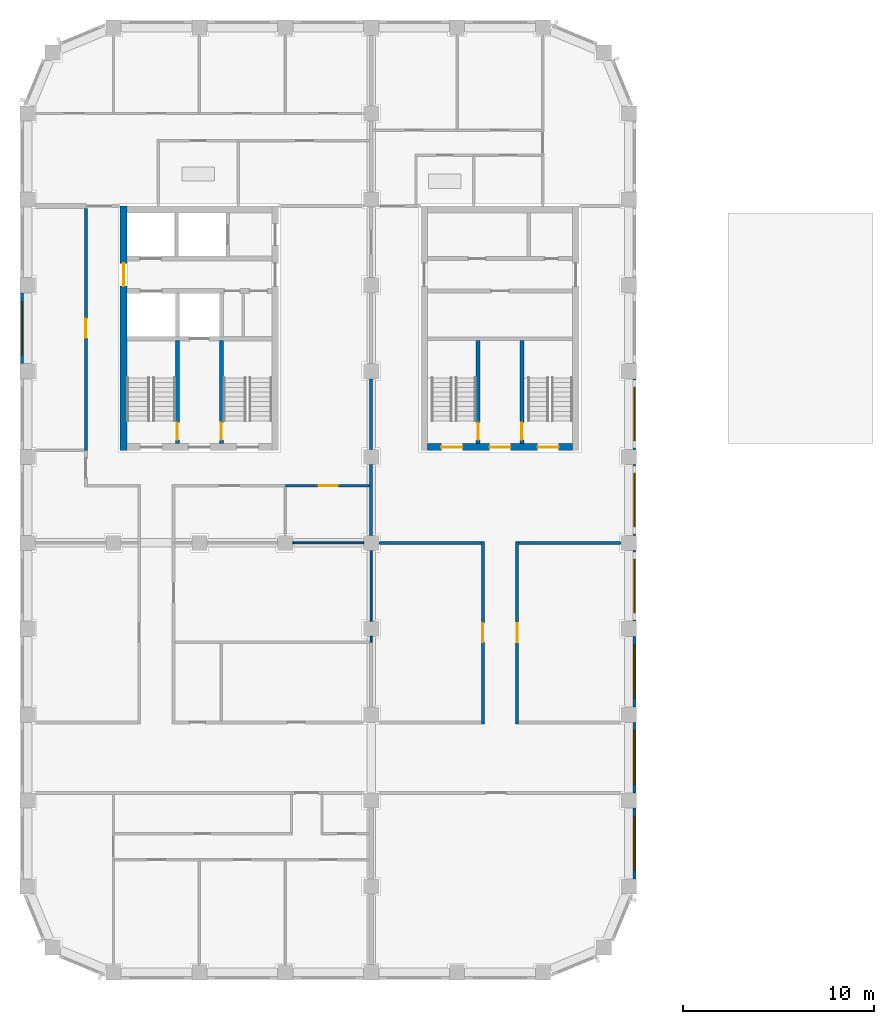
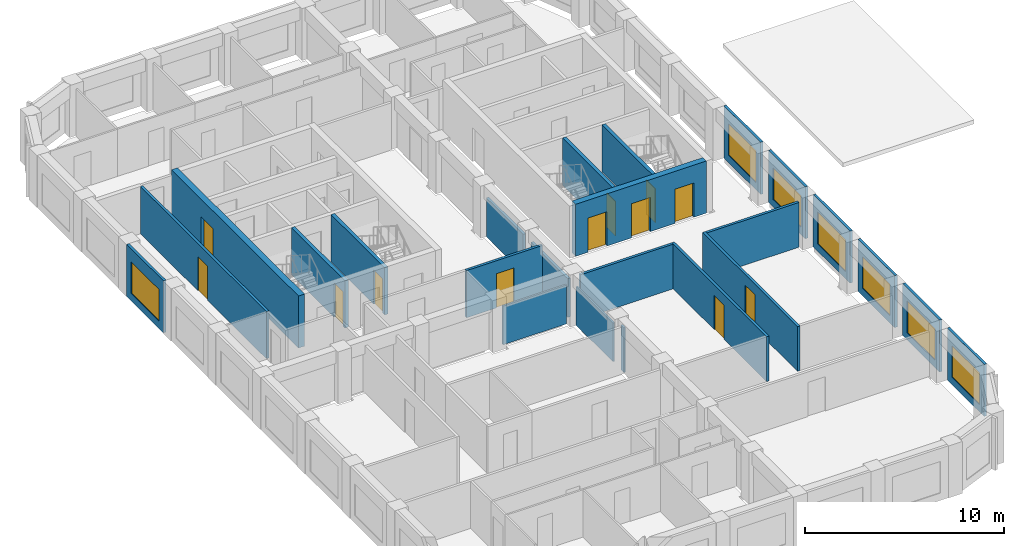
# One storey, part 4 of 9: 24 walls, 12 doors, 7 windows, 19 openings.
"""IFC4 building model written with IfcOpenShell, lengths in metres."""

import ifcopenshell
import ifcopenshell.guid

model = None  # the IFC model being written
_history = None  # IfcOwnerHistory: only IFC2X3 demands one
_inside = {}  # id of a spatial element -> (the spatial element, [elements in it])
_under = {}  # id of a project, library or spatial element -> (it, [spatial elements below it])
_declared = {}  # id of a project -> (the project, [libraries it declares])
_typed = {}  # id of a type object -> (the type object, [elements of that type])
_made_of = {}  # id of a material, layer set ... -> (it, [elements and type objects made of it])


def new_model(schema):
    """Start an empty IFC model of exactly this schema.

    Asked for "IFC4X3", IfcOpenShell would pick the latest addendum, in which some entities
    have other attributes; the version numbers below select the first issue.
    IFC2X3 requires an IfcOwnerHistory on every rooted entity: one is made here for all.
    """
    global model, _history
    if schema == "IFC4X3":
        model = ifcopenshell.file(schema_version=(4, 3, 0, 0))
    else:
        model = ifcopenshell.file(schema=schema)
    _inside.clear()
    _under.clear()
    _declared.clear()
    _typed.clear()
    _made_of.clear()
    _history = None
    if model.schema == "IFC2X3":
        org = make("IfcOrganization", Name="unknown")
        user = make(
            "IfcPersonAndOrganization",
            ThePerson=make("IfcPerson", FamilyName="unknown"),
            TheOrganization=org,
        )
        app = make(
            "IfcApplication",
            ApplicationDeveloper=org,
            Version="unknown",
            ApplicationFullName="unknown",
            ApplicationIdentifier="unknown",
        )
        _history = make(
            "IfcOwnerHistory",
            OwningUser=user,
            OwningApplication=app,
            ChangeAction="ADDED",
            CreationDate=0,
        )
    return model


def make(cls, **values):
    """One entity of the class cls with the attributes given. An attribute that is None is left unset."""
    return model.create_entity(
        cls, **{name: value for name, value in values.items() if value is not None}
    )


def rooted(cls, **values):
    """An entity with a GlobalId (a new one), such as an element, a storey or a relation."""
    return make(cls, GlobalId=ifcopenshell.guid.new(), OwnerHistory=_history, **values)


def si_unit(unit_type, name, prefix=None):
    """IfcSIUnit, for example si_unit("LENGTHUNIT", "METRE", prefix="MILLI")."""
    return make("IfcSIUnit", UnitType=unit_type, Prefix=prefix, Name=name)


def assignment(units):
    """IfcUnitAssignment: the units of a project."""
    return None if units is None else make("IfcUnitAssignment", Units=units)


def point(xyz):
    """IfcCartesianPoint."""
    return None if xyz is None else make("IfcCartesianPoint", Coordinates=xyz)


def direction(xyz):
    """IfcDirection."""
    return None if xyz is None else make("IfcDirection", DirectionRatios=xyz)


def frame(location, z_axis=None, x_axis=None):
    """IfcAxis2Placement3D, a coordinate frame: its origin and axes. An axis left out is left unset."""
    return make(
        "IfcAxis2Placement3D",
        Location=point(location),
        Axis=direction(z_axis),
        RefDirection=direction(x_axis),
    )


def frame_2d(location, x_axis=None):
    """IfcAxis2Placement2D, a coordinate frame in the plane: its origin and x axis."""
    return make(
        "IfcAxis2Placement2D", Location=point(location), RefDirection=direction(x_axis)
    )


def origin():
    """The frame at (0, 0, 0) with its axes left unset."""
    return frame((0.0, 0.0, 0.0))


def place(relative_to, where):
    """IfcLocalPlacement: puts the frame where relative to a parent placement (None: the world)."""
    return make(
        "IfcLocalPlacement", PlacementRelTo=relative_to, RelativePlacement=where
    )


def context(
    kind, dimensions, precision=None, world=None, true_north=None, identifier=None
):
    """IfcGeometricRepresentationContext, for example the 3D "Model" context."""
    return make(
        "IfcGeometricRepresentationContext",
        ContextIdentifier=identifier,
        ContextType=kind,
        CoordinateSpaceDimension=dimensions,
        Precision=precision,
        WorldCoordinateSystem=world,
        TrueNorth=true_north,
    )


def subcontext(parent, identifier, kind, view, scale=None):
    """IfcGeometricRepresentationSubContext, for example "Body" below "Model"."""
    return make(
        "IfcGeometricRepresentationSubContext",
        ContextIdentifier=identifier,
        ContextType=kind,
        ParentContext=parent,
        TargetScale=scale,
        TargetView=view,
    )


def project(units=None, contexts=None):
    """IfcProject with its units and contexts."""
    return rooted(
        "IfcProject",
        Name="project",
        RepresentationContexts=contexts,
        UnitsInContext=assignment(units),
    )


def spatial(cls, under=None, at=None, **own):
    """A site, building, storey or space (cls), placed at a placement, below another one or the project."""
    s = rooted(cls, ObjectPlacement=at, **own)
    if under is not None:
        _under.setdefault(under.id(), (under, []))[1].append(s)
    return s


def profile(cls, at=None, kind="AREA", **sizes):
    """A parametric profile (cls). Its sizes go by their IFC names, for example OverallWidth=200.0."""
    return make(cls, ProfileType=kind, Position=at, **sizes)


def rectangle(**sizes):
    """IfcRectangleProfileDef."""
    return profile("IfcRectangleProfileDef", **sizes)


def extrude(swept, where, along, depth):
    """IfcExtrudedAreaSolid: the profile swept, set in the frame where, extruded along a direction by depth."""
    return make(
        "IfcExtrudedAreaSolid",
        SweptArea=swept,
        Position=where,
        ExtrudedDirection=direction(along),
        Depth=depth,
    )


def shape(context_of_items, identifier, shape_type, items):
    """IfcShapeRepresentation: the items that make up one representation, for example the "Body"."""
    return make(
        "IfcShapeRepresentation",
        ContextOfItems=context_of_items,
        RepresentationIdentifier=identifier,
        RepresentationType=shape_type,
        Items=items,
    )


def material(Name=None, Category=None):
    """IfcMaterial."""
    return make("IfcMaterial", Name=Name, Category=Category)


def layer(
    of_material, thickness, ventilated=None, Name=None, Category=None, Priority=None
):
    """IfcMaterialLayer: one layer of a wall or slab, of a material (None: an air gap)."""
    return make(
        "IfcMaterialLayer",
        Material=of_material,
        LayerThickness=thickness,
        IsVentilated=ventilated,
        Name=Name,
        Category=Category,
        Priority=Priority,
    )


def layer_set(layers, Name=None):
    """IfcMaterialLayerSet."""
    return make("IfcMaterialLayerSet", MaterialLayers=layers, LayerSetName=Name)


def made_of(thing, what):
    """Note that an element or type object is made of a material, layer set ...; save() writes the relation."""
    if what is not None:
        _made_of.setdefault(what.id(), (what, []))[1].append(thing)
    return thing


def type_object(cls, material=None, **own):
    """A type object (cls), such as IfcWallType, which elements share."""
    return made_of(rooted(cls, **own), material)


def element(
    cls,
    number,
    at=None,
    inside=None,
    cuts=None,
    type_object=None,
    material=None,
    context=None,
    identifier="Body",
    shape_type=None,
    held_by="IfcProductDefinitionShape",
    body=None,
    shapes=None,
    **own,
):
    """One element of the class cls, such as IfcWall. Its Tag is "e" and its number.

    at: its placement. inside: the storey or other place that contains it. cuts: it is an
    opening in that element (IfcRelVoidsElement). A single representation is given by context,
    identifier, shape_type and body (its items); several are given by shapes. held_by: the class
    of the entity that holds the representations. save() writes the other relations.
    """
    e = rooted(cls, Tag="e%d" % number, ObjectPlacement=at, **own)
    if body is not None:
        shapes = [shape(context, identifier, shape_type, body)]
    if shapes is not None:
        e.Representation = make(held_by, Representations=shapes)
    if inside is not None:
        _inside.setdefault(inside.id(), (inside, []))[1].append(e)
    if cuts is not None:
        rooted(
            "IfcRelVoidsElement", RelatingBuildingElement=cuts, RelatedOpeningElement=e
        )
    if type_object is not None:
        _typed.setdefault(type_object.id(), (type_object, []))[1].append(e)
    return made_of(e, material)


def fill(opening, filler):
    """IfcRelFillsElement: the door or window that sits in an opening."""
    return rooted(
        "IfcRelFillsElement",
        RelatingOpeningElement=opening,
        RelatedBuildingElement=filler,
    )


def aggregate(whole, parts):
    """IfcRelAggregates: a whole, such as a stair, and the parts it consists of."""
    return rooted("IfcRelAggregates", RelatingObject=whole, RelatedObjects=parts)


def save(model, path):
    """Write the relations noted so far, then the file.

    IfcRelAggregates (storeys below a building ...), IfcRelContainedInSpatialStructure (elements
    in a storey), IfcRelDefinesByType, IfcRelAssociatesMaterial and IfcRelDeclares: one each for
    every whole, place, type object, material and project.
    """
    for whole, parts in _under.values():
        aggregate(whole, parts)
    for where, things in _inside.values():
        rooted(
            "IfcRelContainedInSpatialStructure",
            RelatedElements=things,
            RelatingStructure=where,
        )
    for kind, things in _typed.values():
        rooted("IfcRelDefinesByType", RelatedObjects=things, RelatingType=kind)
    for what, things in _made_of.values():
        rooted("IfcRelAssociatesMaterial", RelatedObjects=things, RelatingMaterial=what)
    for by, libraries in _declared.values():
        rooted("IfcRelDeclares", RelatingContext=by, RelatedDefinitions=libraries)
    model.write(path)


model = new_model("IFC4")

# Units and contexts
model_context = context("Model", 3, precision=1e-05, world=origin(), true_north=direction((0.0, 1.0)))
body_context = subcontext(model_context, "Body", "Model", "MODEL_VIEW")
ifc_project = project(units=[si_unit("LENGTHUNIT", "METRE"), si_unit("AREAUNIT", "SQUARE_METRE"), si_unit("VOLUMEUNIT", "CUBIC_METRE"), si_unit("PLANEANGLEUNIT", "RADIAN"), si_unit("MASSUNIT", "GRAM", prefix="KILO")], contexts=[model_context])

# Site, building, storey
site_placement = place(None, origin())
site = spatial("IfcSite", under=ifc_project, at=site_placement, CompositionType="ELEMENT")
building_placement = place(site_placement, origin())
building = spatial("IfcBuilding", under=site, at=building_placement, Name="Girih Gate Residences", CompositionType="ELEMENT")
storey_placement = place(building_placement, frame((0.0, 0.0, 179.5)))
storey = spatial("IfcBuildingStorey", under=building, at=storey_placement, Name="L49", CompositionType="ELEMENT", Elevation=179.5)

# Walls
ifc_material_1 = material(Name="Gypsum board on steel studs", Category="steel")
ifc_layer_1 = layer(ifc_material_1, 0.14990234375)
ifc_layer_set_1 = layer_set([ifc_layer_1], Name="Compartment wall 150 mm")
wall_type_1 = type_object("IfcWallType", Name="Compartment wall 150 mm", PredefinedType="PARTITIONING", material=ifc_layer_set_1)
for number, where, z_axis, x_axis, name in (
    (1, (18.39990234375, 22.5, 0.0), (0.0, 0.0, 1.0), (1.0, 0.0, 0.0), "L49 partition"),
    (2, (25.72509765625, 22.5, 0.0), (0.0, 0.0, 1.0), (1.0, 0.0, 0.0), "L49 partition"),
):
    element("IfcWall", number, at=place(storey_placement, frame(where, z_axis=z_axis, x_axis=x_axis)), inside=storey, type_object=wall_type_1, Name=name, PredefinedType="PARTITIONING", context=body_context, shape_type="SweptSolid", body=[
        extrude(rectangle(XDim=5.375, YDim=0.14990234375, at=frame_2d((2.6875, 0.0))), origin(), (0.0, 0.0, 1.0), 2.75),
    ])
for number, where, z_axis, x_axis, name in (
    (3, (18.0, 27.39990234375, 0.0), (0.0, 0.0, 1.0), (0.0, 1.0, 0.0), "L49 partition"),
    (4, (18.0, 22.89990234375, 0.0), (0.0, 0.0, 1.0), (0.0, 1.0, 0.0), "L49 partition"),
):
    element("IfcWall", number, at=place(storey_placement, frame(where, z_axis=z_axis, x_axis=x_axis)), inside=storey, type_object=wall_type_1, Name=name, PredefinedType="PARTITIONING", context=body_context, shape_type="SweptSolid", body=[
        extrude(rectangle(XDim=3.7001953125, YDim=0.14990234375, at=frame_2d((1.85009765625, 0.0))), origin(), (0.0, 0.0, 1.0), 2.3798828125),
    ])

# Wall, opening, door
wall_1_placement = place(storey_placement, frame((23.85009765625, 13.02490234375, 0.0), z_axis=(0.0, 0.0, 1.0), x_axis=(0.0, 1.0, 0.0)))
wall_1 = element("IfcWall", 5, at=wall_1_placement, inside=storey, type_object=wall_type_1, Name="L49 partition", PredefinedType="PARTITIONING", context=body_context, shape_type="SweptSolid", body=[
    extrude(rectangle(XDim=9.550048828125, YDim=0.14990234375, at=frame_2d((4.77490234375, 0.0))), origin(), (0.0, 0.0, 1.0), 2.75),
])
opening_1_placement = place(wall_1_placement, frame((4.27490234375, 0.0, 0.0)))
opening_1 = element("IfcOpeningElement", 6, at=opening_1_placement, cuts=wall_1, Name="Opening A49-024", PredefinedType="OPENING", context=body_context, shape_type="SweptSolid", body=[
    extrude(rectangle(XDim=1.0, YDim=2.10009765625, at=frame_2d((0.5, 1.050048828125))), frame((0.0, 0.0849609375, 0.0), z_axis=(0.0, -1.0, 0.0), x_axis=(1.0, 0.0, 0.0)), (0.0, 0.0, 1.0), 0.169921875),
])
ifc_material_2 = material(Name="Timber, fire-rated core", Category="wood")
door_type_1 = type_object("IfcDoorType", Name="Amenity room door 1000x2100 FD30S", OperationType="NOTDEFINED", PredefinedType="DOOR", material=ifc_material_2)
door_1_placement = place(opening_1_placement, origin())
door_1 = element("IfcDoor", 7, at=door_1_placement, inside=storey, type_object=door_type_1, Name="Door A49-024", OperationType="SINGLE_SWING_RIGHT", OverallHeight=2.10009765625, OverallWidth=1.0, PredefinedType="DOOR", context=body_context, shape_type="SweptSolid", body=[
    extrude(rectangle(XDim=1.0, YDim=2.10009765625, at=frame_2d((0.5, 1.050048828125))), frame((0.0, 0.02490234375, 0.0), z_axis=(0.0, -1.0, 0.0), x_axis=(1.0, 0.0, 0.0)), (0.0, 0.0, 1.0), 0.050048828125),
])
fill(opening_1, door_1)

wall_2_placement = place(storey_placement, frame((25.64990234375, 22.574951171875, 0.0), z_axis=(0.0, 0.0, 1.0), x_axis=(0.0, -1.0, 0.0)))
wall_2 = element("IfcWall", 8, at=wall_2_placement, inside=storey, type_object=wall_type_1, Name="L49 partition", PredefinedType="PARTITIONING", context=body_context, shape_type="SweptSolid", body=[
    extrude(rectangle(XDim=9.550048828125, YDim=0.14990234375, at=frame_2d((4.77490234375, 0.0))), origin(), (0.0, 0.0, 1.0), 2.75),
])
opening_2_placement = place(wall_2_placement, frame((4.27490234375, 0.0, 0.0)))
opening_2 = element("IfcOpeningElement", 9, at=opening_2_placement, cuts=wall_2, Name="Opening A49-025", PredefinedType="OPENING", context=body_context, shape_type="SweptSolid", body=[
    extrude(rectangle(XDim=1.0, YDim=2.10009765625, at=frame_2d((0.5, 1.050048828125))), frame((0.0, 0.0849609375, 0.0), z_axis=(0.0, -1.0, 0.0), x_axis=(1.0, 0.0, 0.0)), (0.0, 0.0, 1.0), 0.169921875),
])
door_2_placement = place(opening_2_placement, origin())
door_2 = element("IfcDoor", 10, at=door_2_placement, inside=storey, type_object=door_type_1, Name="Door A49-025", OperationType="SINGLE_SWING_LEFT", OverallHeight=2.10009765625, OverallWidth=1.0, PredefinedType="DOOR", context=body_context, shape_type="SweptSolid", body=[
    extrude(rectangle(XDim=1.0, YDim=2.10009765625, at=frame_2d((0.5, 1.050048828125))), frame((0.0, 0.02490234375, 0.0), z_axis=(0.0, -1.0, 0.0), x_axis=(1.0, 0.0, 0.0)), (0.0, 0.0, 1.0), 0.050048828125),
])
fill(opening_2, door_2)

wall_3_placement = place(storey_placement, frame((17.925048828125, 25.5, 0.0), z_axis=(0.0, 0.0, 1.0), x_axis=(-1.0, 0.0, 0.0)))
wall_3 = element("IfcWall", 11, at=wall_3_placement, inside=storey, type_object=wall_type_1, Name="L49 partition", PredefinedType="PARTITIONING", context=body_context, shape_type="SweptSolid", body=[
    extrude(rectangle(XDim=4.425048828125, YDim=0.14990234375, at=frame_2d((2.21240234375, 0.0))), origin(), (0.0, 0.0, 1.0), 2.89990234375),
])
opening_3_placement = place(wall_3_placement, frame((1.675048828125, 0.0, 0.0)))
opening_3 = element("IfcOpeningElement", 12, at=opening_3_placement, cuts=wall_3, Name="Opening A49-030", PredefinedType="OPENING", context=body_context, shape_type="SweptSolid", body=[
    extrude(rectangle(XDim=1.0, YDim=2.10009765625, at=frame_2d((0.5, 1.050048828125))), frame((0.0, 0.0849609375, 0.0), z_axis=(0.0, -1.0, 0.0), x_axis=(1.0, 0.0, 0.0)), (0.0, 0.0, 1.0), 0.169921875),
])
door_3_placement = place(opening_3_placement, origin())
door_3 = element("IfcDoor", 13, at=door_3_placement, inside=storey, type_object=door_type_1, Name="Door A49-030", OperationType="SINGLE_SWING_LEFT", OverallHeight=2.10009765625, OverallWidth=1.0, PredefinedType="DOOR", context=body_context, shape_type="SweptSolid", body=[
    extrude(rectangle(XDim=1.0, YDim=2.10009765625, at=frame_2d((0.5, 1.050048828125))), frame((0.0, 0.02490234375, 0.0), z_axis=(0.0, -1.0, 0.0), x_axis=(1.0, 0.0, 0.0)), (0.0, 0.0, 1.0), 0.050048828125),
])
fill(opening_3, door_3)

wall_4_placement = place(storey_placement, frame((3.050048828125, 27.35009765625, 0.0), z_axis=(0.0, 0.0, 1.0), x_axis=(0.0, 1.0, 0.0)))
wall_4 = element("IfcWall", 14, at=wall_4_placement, inside=storey, type_object=wall_type_1, Name="L49 partition", PredefinedType="PARTITIONING", context=body_context, shape_type="SweptSolid", body=[
    extrude(rectangle(XDim=12.6748046875, YDim=0.14990234375, at=frame_2d((6.33740234375, 0.0))), origin(), (0.0, 0.0, 1.0), 2.89990234375),
])
opening_4_placement = place(wall_4_placement, frame((5.89990234375, 0.0, 0.0)))
opening_4 = element("IfcOpeningElement", 15, at=opening_4_placement, cuts=wall_4, Name="Opening A49-031", PredefinedType="OPENING", context=body_context, shape_type="SweptSolid", body=[
    extrude(rectangle(XDim=1.0, YDim=2.10009765625, at=frame_2d((0.5, 1.050048828125))), frame((0.0, 0.0849609375, 0.0), z_axis=(0.0, -1.0, 0.0), x_axis=(1.0, 0.0, 0.0)), (0.0, 0.0, 1.0), 0.169921875),
])
door_4_placement = place(opening_4_placement, origin())
door_4 = element("IfcDoor", 16, at=door_4_placement, inside=storey, type_object=door_type_1, Name="Door A49-031", OperationType="SINGLE_SWING_RIGHT", OverallHeight=2.10009765625, OverallWidth=1.0, PredefinedType="DOOR", context=body_context, shape_type="SweptSolid", body=[
    extrude(rectangle(XDim=1.0, YDim=2.10009765625, at=frame_2d((0.5, 1.050048828125))), frame((0.0, 0.02490234375, 0.0), z_axis=(0.0, -1.0, 0.0), x_axis=(1.0, 0.0, 0.0)), (0.0, 0.0, 1.0), 0.050048828125),
])
fill(opening_4, door_4)

ifc_material_3 = material(Name="Concrete C60/75", Category="concrete")
ifc_layer_2 = layer(ifc_material_3, 0.35009765625)
ifc_layer_set_2 = layer_set([ifc_layer_2], Name="Core wall RC 350 Concrete C60/75")
wall_type_2 = type_object("IfcWallType", Name="Core wall RC 350 Concrete C60/75", PredefinedType="SOLIDWALL", material=ifc_layer_set_2)
wall_5_placement = place(storey_placement, frame((5.02490234375, 27.35009765625, 0.0), z_axis=(0.0, 0.0, 1.0), x_axis=(0.0, 1.0, 0.0)))
wall_5 = element("IfcWall", 17, at=wall_5_placement, inside=storey, type_object=wall_type_2, Name="Core wall W-W L49", PredefinedType="SOLIDWALL", context=body_context, shape_type="SweptSolid", body=[
    extrude(rectangle(XDim=12.7998046875, YDim=0.35009765625, at=frame_2d((6.39990234375, 0.0))), origin(), (0.0, 0.0, 1.0), 3.199951171875),
])
opening_5_placement = place(wall_5_placement, frame((8.60009765625, 0.0, 0.0)))
opening_5 = element("IfcOpeningElement", 18, at=opening_5_placement, cuts=wall_5, Name="Opening D-L49-W-013", PredefinedType="OPENING", context=body_context, shape_type="SweptSolid", body=[
    extrude(rectangle(XDim=1.199951171875, YDim=2.10009765625, at=frame_2d((0.60009765625, 1.050048828125))), frame((0.0, 0.18505859375, 0.0), z_axis=(0.0, -1.0, 0.0), x_axis=(1.0, 0.0, 0.0)), (0.0, 0.0, 1.0), 0.3701171875),
])
ifc_material_4 = material(Name="Painted steel, fire-resisting", Category="steel")
door_type_2 = type_object("IfcDoorType", Name="Fire door 1200x2100", OperationType="SINGLE_SWING_LEFT", PredefinedType="DOOR", material=ifc_material_4)
door_5_placement = place(opening_5_placement, origin())
door_5 = element("IfcDoor", 19, at=door_5_placement, inside=storey, type_object=door_type_2, Name="L49 W core door ll-w", OperationType="SINGLE_SWING_LEFT", OverallHeight=2.10009765625, OverallWidth=1.199951171875, PredefinedType="DOOR", context=body_context, shape_type="SweptSolid", body=[
    extrude(rectangle(XDim=1.199951171875, YDim=2.10009765625, at=frame_2d((0.60009765625, 1.050048828125))), frame((0.0, 0.02490234375, 0.0), z_axis=(0.0, -1.0, 0.0), x_axis=(1.0, 0.0, 0.0)), (0.0, 0.0, 1.0), 0.050048828125),
])
fill(opening_5, door_5)

# Walls
ifc_layer_3 = layer(ifc_material_1, 0.10009765625)
ifc_layer_set_3 = layer_set([ifc_layer_3], Name="Partition 100 mm")
wall_type_3 = type_object("IfcWallType", Name="Partition 100 mm", PredefinedType="PARTITIONING", material=ifc_layer_set_3)
wall_6_placement = place(storey_placement, frame((18.0, 18.39990234375, 0.0), z_axis=(0.0, 0.0, 1.0), x_axis=(0.0, 1.0, 0.0)))
element("IfcWall", 20, at=wall_6_placement, inside=storey, type_object=wall_type_3, Name="L49 partition", PredefinedType="PARTITIONING", context=body_context, shape_type="SweptSolid", body=[
    extrude(rectangle(XDim=3.7001953125, YDim=0.10009765625, at=frame_2d((1.85009765625, 0.0))), origin(), (0.0, 0.0, 1.0), 2.3798828125),
])
wall_7_placement = place(storey_placement, frame((18.0, 17.300048828125, 0.0), z_axis=(0.0, 0.0, 1.0), x_axis=(0.0, 1.0, 0.0)))
element("IfcWall", 21, at=wall_7_placement, inside=storey, type_object=wall_type_3, Name="L49 partition", PredefinedType="PARTITIONING", context=body_context, shape_type="SweptSolid", body=[
    extrude(rectangle(XDim=0.300048828125, YDim=0.10009765625, at=frame_2d((0.14990234375, 0.0))), origin(), (0.0, 0.0, 1.0), 2.75),
])
wall_8_placement = place(storey_placement, frame((13.89990234375, 22.5, 0.0), z_axis=(0.0, 0.0, 1.0), x_axis=(1.0, 0.0, 0.0)))
element("IfcWall", 22, at=wall_8_placement, inside=storey, type_object=wall_type_3, Name="L49 partition", PredefinedType="PARTITIONING", context=body_context, shape_type="SweptSolid", body=[
    extrude(rectangle(XDim=3.7001953125, YDim=0.10009765625, at=frame_2d((1.85009765625, 0.0))), origin(), (0.0, 0.0, 1.0), 2.3798828125),
])

# Wall, opening, window
ifc_material_5 = material(Name="Precast concrete C50/60", Category="concrete")
ifc_layer_4 = layer(ifc_material_5, 0.050048828125, Name="Outer leaf")
ifc_material_6 = material(Name="Rigid PIR insulation")
ifc_layer_5 = layer(ifc_material_6, 0.06005859375, Name="Insulation")
ifc_material_7 = material(Name="Precast concrete C40/50", Category="concrete")
ifc_layer_6 = layer(ifc_material_7, 0.0400390625, Name="Inner leaf")
ifc_layer_set_4 = layer_set([ifc_layer_4, ifc_layer_5, ifc_layer_6], Name="Precast concrete C50/60 external wall 150")
wall_type_4 = type_object("IfcWallType", Name="Precast concrete C50/60 external wall 150", PredefinedType="SOLIDWALL", material=ifc_layer_set_4)
wall_9_placement = place(storey_placement, frame((31.800048828125, 8.60009765625, 0.0), z_axis=(0.0, 0.0, 1.0), x_axis=(0.0, -1.0, 0.0)))
wall_9 = element("IfcWall", 23, at=wall_9_placement, inside=storey, type_object=wall_type_4, Name="External wall E0315_0045.0", PredefinedType="SOLIDWALL", context=body_context, shape_type="SweptSolid", body=[
    extrude(rectangle(XDim=3.7001953125, YDim=0.14990234375, at=frame_2d((1.85009765625, 0.0))), origin(), (0.0, 0.0, 1.0), 3.199951171875),
])
opening_6_placement = place(wall_9_placement, frame((0.449951171875, 0.0, 0.449951171875)))
opening_6 = element("IfcOpeningElement", 24, at=opening_6_placement, cuts=wall_9, Name="Opening W-1B", PredefinedType="OPENING", context=body_context, shape_type="SweptSolid", body=[
    extrude(rectangle(XDim=2.800048828125, YDim=1.949951171875, at=frame_2d((1.39990234375, 0.97509765625))), frame((0.0, 0.0849609375, 0.0), z_axis=(0.0, -1.0, 0.0), x_axis=(1.0, 0.0, 0.0)), (0.0, 0.0, 1.0), 0.169921875),
])
ifc_material_8 = material(Name="Double glazing in aluminium frame", Category="aluminium")
window_type = type_object("IfcWindowType", Name="Window W-1B 2800x1950", PartitioningType="SINGLE_PANEL", PredefinedType="WINDOW", material=ifc_material_8)
window_1_placement = place(opening_6_placement, origin())
window_1 = element("IfcWindow", 25, at=window_1_placement, inside=storey, type_object=window_type, Name="Window W-1B E0315_0045.0", OverallHeight=1.949951171875, OverallWidth=2.800048828125, PartitioningType="SINGLE_PANEL", PredefinedType="WINDOW", context=body_context, shape_type="SweptSolid", body=[
    extrude(rectangle(XDim=2.800048828125, YDim=1.949951171875, at=frame_2d((1.39990234375, 0.97509765625))), frame((0.0, 0.030029296875, 0.0), z_axis=(0.0, -1.0, 0.0), x_axis=(1.0, 0.0, 0.0)), (0.0, 0.0, 1.0), 0.06005859375),
])
fill(opening_6, window_1)

wall_10_placement = place(storey_placement, frame((31.800048828125, 13.10009765625, 0.0), z_axis=(0.0, 0.0, 1.0), x_axis=(0.0, -1.0, 0.0)))
wall_10 = element("IfcWall", 26, at=wall_10_placement, inside=storey, type_object=wall_type_4, Name="External wall E0315_0045.1", PredefinedType="SOLIDWALL", context=body_context, shape_type="SweptSolid", body=[
    extrude(rectangle(XDim=3.7001953125, YDim=0.14990234375, at=frame_2d((1.85009765625, 0.0))), origin(), (0.0, 0.0, 1.0), 3.199951171875),
])
opening_7_placement = place(wall_10_placement, frame((0.449951171875, 0.0, 0.449951171875)))
opening_7 = element("IfcOpeningElement", 27, at=opening_7_placement, cuts=wall_10, Name="Opening W-1B", PredefinedType="OPENING", context=body_context, shape_type="SweptSolid", body=[
    extrude(rectangle(XDim=2.800048828125, YDim=1.949951171875, at=frame_2d((1.39990234375, 0.97509765625))), frame((0.0, 0.0849609375, 0.0), z_axis=(0.0, -1.0, 0.0), x_axis=(1.0, 0.0, 0.0)), (0.0, 0.0, 1.0), 0.169921875),
])
window_2_placement = place(opening_7_placement, origin())
window_2 = element("IfcWindow", 28, at=window_2_placement, inside=storey, type_object=window_type, Name="Window W-1B E0315_0045.1", OverallHeight=1.949951171875, OverallWidth=2.800048828125, PartitioningType="SINGLE_PANEL", PredefinedType="WINDOW", context=body_context, shape_type="SweptSolid", body=[
    extrude(rectangle(XDim=2.800048828125, YDim=1.949951171875, at=frame_2d((1.39990234375, 0.97509765625))), frame((0.0, 0.030029296875, 0.0), z_axis=(0.0, -1.0, 0.0), x_axis=(1.0, 0.0, 0.0)), (0.0, 0.0, 1.0), 0.06005859375),
])
fill(opening_7, window_2)

wall_11_placement = place(storey_placement, frame((31.800048828125, 17.60009765625, 0.0), z_axis=(0.0, 0.0, 1.0), x_axis=(0.0, -1.0, 0.0)))
wall_11 = element("IfcWall", 29, at=wall_11_placement, inside=storey, type_object=wall_type_4, Name="External wall E0315_0045.2", PredefinedType="SOLIDWALL", context=body_context, shape_type="SweptSolid", body=[
    extrude(rectangle(XDim=3.7001953125, YDim=0.14990234375, at=frame_2d((1.85009765625, 0.0))), origin(), (0.0, 0.0, 1.0), 3.199951171875),
])
opening_8_placement = place(wall_11_placement, frame((0.449951171875, 0.0, 0.449951171875)))
opening_8 = element("IfcOpeningElement", 30, at=opening_8_placement, cuts=wall_11, Name="Opening W-1B", PredefinedType="OPENING", context=body_context, shape_type="SweptSolid", body=[
    extrude(rectangle(XDim=2.800048828125, YDim=1.949951171875, at=frame_2d((1.39990234375, 0.97509765625))), frame((0.0, 0.0849609375, 0.0), z_axis=(0.0, -1.0, 0.0), x_axis=(1.0, 0.0, 0.0)), (0.0, 0.0, 1.0), 0.169921875),
])
window_3_placement = place(opening_8_placement, origin())
window_3 = element("IfcWindow", 31, at=window_3_placement, inside=storey, type_object=window_type, Name="Window W-1B E0315_0045.2", OverallHeight=1.949951171875, OverallWidth=2.800048828125, PartitioningType="SINGLE_PANEL", PredefinedType="WINDOW", context=body_context, shape_type="SweptSolid", body=[
    extrude(rectangle(XDim=2.800048828125, YDim=1.949951171875, at=frame_2d((1.39990234375, 0.97509765625))), frame((0.0, 0.030029296875, 0.0), z_axis=(0.0, -1.0, 0.0), x_axis=(1.0, 0.0, 0.0)), (0.0, 0.0, 1.0), 0.06005859375),
])
fill(opening_8, window_3)

wall_12_placement = place(storey_placement, frame((31.800048828125, 22.10009765625, 0.0), z_axis=(0.0, 0.0, 1.0), x_axis=(0.0, -1.0, 0.0)))
wall_12 = element("IfcWall", 32, at=wall_12_placement, inside=storey, type_object=wall_type_4, Name="External wall E0315_0045.3", PredefinedType="SOLIDWALL", context=body_context, shape_type="SweptSolid", body=[
    extrude(rectangle(XDim=3.7001953125, YDim=0.14990234375, at=frame_2d((1.85009765625, 0.0))), origin(), (0.0, 0.0, 1.0), 3.199951171875),
])
opening_9_placement = place(wall_12_placement, frame((0.449951171875, 0.0, 0.449951171875)))
opening_9 = element("IfcOpeningElement", 33, at=opening_9_placement, cuts=wall_12, Name="Opening W-1B", PredefinedType="OPENING", context=body_context, shape_type="SweptSolid", body=[
    extrude(rectangle(XDim=2.800048828125, YDim=1.949951171875, at=frame_2d((1.39990234375, 0.97509765625))), frame((0.0, 0.0849609375, 0.0), z_axis=(0.0, -1.0, 0.0), x_axis=(1.0, 0.0, 0.0)), (0.0, 0.0, 1.0), 0.169921875),
])
window_4_placement = place(opening_9_placement, origin())
window_4 = element("IfcWindow", 34, at=window_4_placement, inside=storey, type_object=window_type, Name="Window W-1B E0315_0045.3", OverallHeight=1.949951171875, OverallWidth=2.800048828125, PartitioningType="SINGLE_PANEL", PredefinedType="WINDOW", context=body_context, shape_type="SweptSolid", body=[
    extrude(rectangle(XDim=2.800048828125, YDim=1.949951171875, at=frame_2d((1.39990234375, 0.97509765625))), frame((0.0, 0.030029296875, 0.0), z_axis=(0.0, -1.0, 0.0), x_axis=(1.0, 0.0, 0.0)), (0.0, 0.0, 1.0), 0.06005859375),
])
fill(opening_9, window_4)

wall_13_placement = place(storey_placement, frame((31.800048828125, 26.60009765625, 0.0), z_axis=(0.0, 0.0, 1.0), x_axis=(0.0, -1.0, 0.0)))
wall_13 = element("IfcWall", 35, at=wall_13_placement, inside=storey, type_object=wall_type_4, Name="External wall E0315_0045.4", PredefinedType="SOLIDWALL", context=body_context, shape_type="SweptSolid", body=[
    extrude(rectangle(XDim=3.7001953125, YDim=0.14990234375, at=frame_2d((1.85009765625, 0.0))), origin(), (0.0, 0.0, 1.0), 3.199951171875),
])
opening_10_placement = place(wall_13_placement, frame((0.449951171875, 0.0, 0.449951171875)))
opening_10 = element("IfcOpeningElement", 36, at=opening_10_placement, cuts=wall_13, Name="Opening W-1B", PredefinedType="OPENING", context=body_context, shape_type="SweptSolid", body=[
    extrude(rectangle(XDim=2.800048828125, YDim=1.949951171875, at=frame_2d((1.39990234375, 0.97509765625))), frame((0.0, 0.0849609375, 0.0), z_axis=(0.0, -1.0, 0.0), x_axis=(1.0, 0.0, 0.0)), (0.0, 0.0, 1.0), 0.169921875),
])
window_5_placement = place(opening_10_placement, origin())
window_5 = element("IfcWindow", 37, at=window_5_placement, inside=storey, type_object=window_type, Name="Window W-1B E0315_0045.4", OverallHeight=1.949951171875, OverallWidth=2.800048828125, PartitioningType="SINGLE_PANEL", PredefinedType="WINDOW", context=body_context, shape_type="SweptSolid", body=[
    extrude(rectangle(XDim=2.800048828125, YDim=1.949951171875, at=frame_2d((1.39990234375, 0.97509765625))), frame((0.0, 0.030029296875, 0.0), z_axis=(0.0, -1.0, 0.0), x_axis=(1.0, 0.0, 0.0)), (0.0, 0.0, 1.0), 0.06005859375),
])
fill(opening_10, window_5)

wall_14_placement = place(storey_placement, frame((31.800048828125, 31.10009765625, 0.0), z_axis=(0.0, 0.0, 1.0), x_axis=(0.0, -1.0, 0.0)))
wall_14 = element("IfcWall", 38, at=wall_14_placement, inside=storey, type_object=wall_type_4, Name="External wall E0315_0045.5", PredefinedType="SOLIDWALL", context=body_context, shape_type="SweptSolid", body=[
    extrude(rectangle(XDim=3.7001953125, YDim=0.14990234375, at=frame_2d((1.85009765625, 0.0))), origin(), (0.0, 0.0, 1.0), 3.199951171875),
])
opening_11_placement = place(wall_14_placement, frame((0.449951171875, 0.0, 0.449951171875)))
opening_11 = element("IfcOpeningElement", 39, at=opening_11_placement, cuts=wall_14, Name="Opening W-1B", PredefinedType="OPENING", context=body_context, shape_type="SweptSolid", body=[
    extrude(rectangle(XDim=2.800048828125, YDim=1.949951171875, at=frame_2d((1.39990234375, 0.97509765625))), frame((0.0, 0.0849609375, 0.0), z_axis=(0.0, -1.0, 0.0), x_axis=(1.0, 0.0, 0.0)), (0.0, 0.0, 1.0), 0.169921875),
])
window_6_placement = place(opening_11_placement, origin())
window_6 = element("IfcWindow", 40, at=window_6_placement, inside=storey, type_object=window_type, Name="Window W-1B E0315_0045.5", OverallHeight=1.949951171875, OverallWidth=2.800048828125, PartitioningType="SINGLE_PANEL", PredefinedType="WINDOW", context=body_context, shape_type="SweptSolid", body=[
    extrude(rectangle(XDim=2.800048828125, YDim=1.949951171875, at=frame_2d((1.39990234375, 0.97509765625))), frame((0.0, 0.030029296875, 0.0), z_axis=(0.0, -1.0, 0.0), x_axis=(1.0, 0.0, 0.0)), (0.0, 0.0, 1.0), 0.06005859375),
])
fill(opening_11, window_6)

wall_15_placement = place(storey_placement, frame((-0.300048828125, 31.89990234375, 0.0), z_axis=(0.0, 0.0, 1.0), x_axis=(0.0, 1.0, 0.0)))
wall_15 = element("IfcWall", 41, at=wall_15_placement, inside=storey, type_object=wall_type_4, Name="External wall W0000_0450.2", PredefinedType="SOLIDWALL", context=body_context, shape_type="SweptSolid", body=[
    extrude(rectangle(XDim=3.7001953125, YDim=0.14990234375, at=frame_2d((1.85009765625, 0.0))), origin(), (0.0, 0.0, 1.0), 3.199951171875),
])
opening_12_placement = place(wall_15_placement, frame((0.449951171875, 0.0, 0.449951171875)))
opening_12 = element("IfcOpeningElement", 42, at=opening_12_placement, cuts=wall_15, Name="Opening W-1B", PredefinedType="OPENING", context=body_context, shape_type="SweptSolid", body=[
    extrude(rectangle(XDim=2.800048828125, YDim=1.949951171875, at=frame_2d((1.39990234375, 0.97509765625))), frame((0.0, 0.0849609375, 0.0), z_axis=(0.0, -1.0, 0.0), x_axis=(1.0, 0.0, 0.0)), (0.0, 0.0, 1.0), 0.169921875),
])
window_7_placement = place(opening_12_placement, origin())
window_7 = element("IfcWindow", 43, at=window_7_placement, inside=storey, type_object=window_type, Name="Window W-1B W0000_0450.2", OverallHeight=1.949951171875, OverallWidth=2.800048828125, PartitioningType="SINGLE_PANEL", PredefinedType="WINDOW", context=body_context, shape_type="SweptSolid", body=[
    extrude(rectangle(XDim=2.800048828125, YDim=1.949951171875, at=frame_2d((1.39990234375, 0.97509765625))), frame((0.0, 0.030029296875, 0.0), z_axis=(0.0, -1.0, 0.0), x_axis=(1.0, 0.0, 0.0)), (0.0, 0.0, 1.0), 0.06005859375),
])
fill(opening_12, window_7)

# Wall, opening, door
ifc_material_9 = material(Name="Concrete C40/50", Category="concrete")
ifc_layer_7 = layer(ifc_material_9, 0.199951171875)
ifc_layer_set_5 = layer_set([ifc_layer_7], Name="Shaft wall 200")
wall_type_5 = type_object("IfcWallType", Name="Shaft wall 200", PredefinedType="SOLIDWALL", material=ifc_layer_set_5)
wall_16_placement = place(storey_placement, frame((7.85009765625, 27.699951171875, 0.0), z_axis=(0.0, 0.0, 1.0), x_axis=(0.0, 1.0, 0.0)))
wall_16 = element("IfcWall", 44, at=wall_16_placement, inside=storey, type_object=wall_type_5, Name="L49 W core wall V1a", PredefinedType="SOLIDWALL", context=body_context, shape_type="SweptSolid", body=[
    extrude(rectangle(XDim=5.400146484375, YDim=0.199951171875, at=frame_2d((2.7001953125, 0.0))), origin(), (0.0, 0.0, 1.0), 2.89990234375),
])
opening_13_placement = place(wall_16_placement, frame((0.199951171875, 0.0, 0.0)))
opening_13 = element("IfcOpeningElement", 45, at=opening_13_placement, cuts=wall_16, Name="Opening D-L49-W-001", PredefinedType="OPENING", context=body_context, shape_type="SweptSolid", body=[
    extrude(rectangle(XDim=0.89990234375, YDim=2.10009765625, at=frame_2d((0.449951171875, 1.050048828125))), frame((0.0, 0.10986328125, 0.0), z_axis=(0.0, -1.0, 0.0), x_axis=(1.0, 0.0, 0.0)), (0.0, 0.0, 1.0), 0.219970703125),
])
door_type_3 = type_object("IfcDoorType", Name="Fire door 900x2100", OperationType="SINGLE_SWING_LEFT", PredefinedType="DOOR", material=ifc_material_4)
door_6_placement = place(opening_13_placement, origin())
door_6 = element("IfcDoor", 46, at=door_6_placement, inside=storey, type_object=door_type_3, Name="L49 W door stair 1 to firefighting lobby", OperationType="SINGLE_SWING_LEFT", OverallHeight=2.10009765625, OverallWidth=0.89990234375, PredefinedType="DOOR", context=body_context, shape_type="SweptSolid", body=[
    extrude(rectangle(XDim=0.89990234375, YDim=2.10009765625, at=frame_2d((0.449951171875, 1.050048828125))), frame((0.0, 0.02490234375, 0.0), z_axis=(0.0, -1.0, 0.0), x_axis=(1.0, 0.0, 0.0)), (0.0, 0.0, 1.0), 0.050048828125),
])
fill(opening_13, door_6)

wall_17_placement = place(storey_placement, frame((10.14990234375, 27.699951171875, 0.0), z_axis=(0.0, 0.0, 1.0), x_axis=(0.0, 1.0, 0.0)))
wall_17 = element("IfcWall", 47, at=wall_17_placement, inside=storey, type_object=wall_type_5, Name="L49 W core wall V2a", PredefinedType="SOLIDWALL", context=body_context, shape_type="SweptSolid", body=[
    extrude(rectangle(XDim=5.400146484375, YDim=0.199951171875, at=frame_2d((2.7001953125, 0.0))), origin(), (0.0, 0.0, 1.0), 2.89990234375),
])
opening_14_placement = place(wall_17_placement, frame((0.199951171875, 0.0, 0.0)))
opening_14 = element("IfcOpeningElement", 48, at=opening_14_placement, cuts=wall_17, Name="Opening D-L49-W-002", PredefinedType="OPENING", context=body_context, shape_type="SweptSolid", body=[
    extrude(rectangle(XDim=0.89990234375, YDim=2.10009765625, at=frame_2d((0.449951171875, 1.050048828125))), frame((0.0, 0.10986328125, 0.0), z_axis=(0.0, -1.0, 0.0), x_axis=(1.0, 0.0, 0.0)), (0.0, 0.0, 1.0), 0.219970703125),
])
door_7_placement = place(opening_14_placement, origin())
door_7 = element("IfcDoor", 49, at=door_7_placement, inside=storey, type_object=door_type_3, Name="L49 W door stair 2 to firefighting lobby", OperationType="SINGLE_SWING_LEFT", OverallHeight=2.10009765625, OverallWidth=0.89990234375, PredefinedType="DOOR", context=body_context, shape_type="SweptSolid", body=[
    extrude(rectangle(XDim=0.89990234375, YDim=2.10009765625, at=frame_2d((0.449951171875, 1.050048828125))), frame((0.0, 0.02490234375, 0.0), z_axis=(0.0, -1.0, 0.0), x_axis=(1.0, 0.0, 0.0)), (0.0, 0.0, 1.0), 0.050048828125),
])
fill(opening_14, door_7)

wall_18_placement = place(storey_placement, frame((23.60009765625, 27.699951171875, 0.0), z_axis=(0.0, 0.0, 1.0), x_axis=(0.0, 1.0, 0.0)))
wall_18 = element("IfcWall", 50, at=wall_18_placement, inside=storey, type_object=wall_type_5, Name="L49 C core wall V1a", PredefinedType="SOLIDWALL", context=body_context, shape_type="SweptSolid", body=[
    extrude(rectangle(XDim=5.400146484375, YDim=0.199951171875, at=frame_2d((2.7001953125, 0.0))), origin(), (0.0, 0.0, 1.0), 2.89990234375),
])
opening_15_placement = place(wall_18_placement, frame((0.199951171875, 0.0, 0.0)))
opening_15 = element("IfcOpeningElement", 51, at=opening_15_placement, cuts=wall_18, Name="Opening D-L49-C-001", PredefinedType="OPENING", context=body_context, shape_type="SweptSolid", body=[
    extrude(rectangle(XDim=0.89990234375, YDim=2.10009765625, at=frame_2d((0.449951171875, 1.050048828125))), frame((0.0, 0.10986328125, 0.0), z_axis=(0.0, -1.0, 0.0), x_axis=(1.0, 0.0, 0.0)), (0.0, 0.0, 1.0), 0.219970703125),
])
door_8_placement = place(opening_15_placement, origin())
door_8 = element("IfcDoor", 52, at=door_8_placement, inside=storey, type_object=door_type_3, Name="L49 C door stair 1 to stair lobby", OperationType="SINGLE_SWING_LEFT", OverallHeight=2.10009765625, OverallWidth=0.89990234375, PredefinedType="DOOR", context=body_context, shape_type="SweptSolid", body=[
    extrude(rectangle(XDim=0.89990234375, YDim=2.10009765625, at=frame_2d((0.449951171875, 1.050048828125))), frame((0.0, 0.02490234375, 0.0), z_axis=(0.0, -1.0, 0.0), x_axis=(1.0, 0.0, 0.0)), (0.0, 0.0, 1.0), 0.050048828125),
])
fill(opening_15, door_8)

wall_19_placement = place(storey_placement, frame((25.89990234375, 27.699951171875, 0.0), z_axis=(0.0, 0.0, 1.0), x_axis=(0.0, 1.0, 0.0)))
wall_19 = element("IfcWall", 53, at=wall_19_placement, inside=storey, type_object=wall_type_5, Name="L49 C core wall V2a", PredefinedType="SOLIDWALL", context=body_context, shape_type="SweptSolid", body=[
    extrude(rectangle(XDim=5.400146484375, YDim=0.199951171875, at=frame_2d((2.7001953125, 0.0))), origin(), (0.0, 0.0, 1.0), 2.89990234375),
])
opening_16_placement = place(wall_19_placement, frame((0.199951171875, 0.0, 0.0)))
opening_16 = element("IfcOpeningElement", 54, at=opening_16_placement, cuts=wall_19, Name="Opening D-L49-C-002", PredefinedType="OPENING", context=body_context, shape_type="SweptSolid", body=[
    extrude(rectangle(XDim=0.89990234375, YDim=2.10009765625, at=frame_2d((0.449951171875, 1.050048828125))), frame((0.0, 0.10986328125, 0.0), z_axis=(0.0, -1.0, 0.0), x_axis=(1.0, 0.0, 0.0)), (0.0, 0.0, 1.0), 0.219970703125),
])
door_9_placement = place(opening_16_placement, origin())
door_9 = element("IfcDoor", 55, at=door_9_placement, inside=storey, type_object=door_type_3, Name="L49 C door stair 2 to stair lobby", OperationType="SINGLE_SWING_LEFT", OverallHeight=2.10009765625, OverallWidth=0.89990234375, PredefinedType="DOOR", context=body_context, shape_type="SweptSolid", body=[
    extrude(rectangle(XDim=0.89990234375, YDim=2.10009765625, at=frame_2d((0.449951171875, 1.050048828125))), frame((0.0, 0.02490234375, 0.0), z_axis=(0.0, -1.0, 0.0), x_axis=(1.0, 0.0, 0.0)), (0.0, 0.0, 1.0), 0.050048828125),
])
fill(opening_16, door_9)

# Wall, openings, doors
ifc_layer_8 = layer(ifc_material_9, 0.35009765625)
ifc_layer_set_6 = layer_set([ifc_layer_8], Name="Stair core wall RC 350 Concrete C40/50")
wall_type_6 = type_object("IfcWallType", Name="Stair core wall RC 350 Concrete C40/50", PredefinedType="SOLIDWALL", material=ifc_layer_set_6)
wall_20_placement = place(storey_placement, frame((20.949951171875, 27.52490234375, 0.0), z_axis=(0.0, 0.0, 1.0), x_axis=(1.0, 0.0, 0.0)))
wall_20 = element("IfcWall", 56, at=wall_20_placement, inside=storey, type_object=wall_type_6, Name="Stair core wall C-S L49", PredefinedType="SOLIDWALL", context=body_context, shape_type="SweptSolid", body=[
    extrude(rectangle(XDim=7.60009765625, YDim=0.35009765625, at=frame_2d((3.800048828125, 0.0))), origin(), (0.0, 0.0, 1.0), 3.199951171875),
])
opening_17_placement = place(wall_20_placement, frame((0.72509765625, 0.0, 0.0)))
opening_17 = element("IfcOpeningElement", 57, at=opening_17_placement, cuts=wall_20, Name="Opening D-L49-C-006", PredefinedType="OPENING", context=body_context, shape_type="SweptSolid", body=[
    extrude(rectangle(XDim=1.10009765625, YDim=2.10009765625, at=frame_2d((0.550048828125, 1.050048828125))), frame((0.0, 0.18505859375, 0.0), z_axis=(0.0, -1.0, 0.0), x_axis=(1.0, 0.0, 0.0)), (0.0, 0.0, 1.0), 0.3701171875),
])
opening_18_placement = place(wall_20_placement, frame((3.25, 0.0, 0.0)))
opening_18 = element("IfcOpeningElement", 58, at=opening_18_placement, cuts=wall_20, Name="Opening D-L49-C-007", PredefinedType="OPENING", context=body_context, shape_type="SweptSolid", body=[
    extrude(rectangle(XDim=1.10009765625, YDim=2.10009765625, at=frame_2d((0.550048828125, 1.050048828125))), frame((0.0, 0.18505859375, 0.0), z_axis=(0.0, -1.0, 0.0), x_axis=(1.0, 0.0, 0.0)), (0.0, 0.0, 1.0), 0.3701171875),
])
opening_19_placement = place(wall_20_placement, frame((5.77490234375, 0.0, 0.0)))
opening_19 = element("IfcOpeningElement", 59, at=opening_19_placement, cuts=wall_20, Name="Opening D-L49-C-008", PredefinedType="OPENING", context=body_context, shape_type="SweptSolid", body=[
    extrude(rectangle(XDim=1.10009765625, YDim=2.10009765625, at=frame_2d((0.550048828125, 1.050048828125))), frame((0.0, 0.18505859375, 0.0), z_axis=(0.0, -1.0, 0.0), x_axis=(1.0, 0.0, 0.0)), (0.0, 0.0, 1.0), 0.3701171875),
])
door_type_4 = type_object("IfcDoorType", Name="Fire door 1100x2100", OperationType="SINGLE_SWING_LEFT", PredefinedType="DOOR", material=ifc_material_4)
door_10_placement = place(opening_17_placement, origin())
door_10 = element("IfcDoor", 60, at=door_10_placement, inside=storey, type_object=door_type_4, Name="L49 C core door sta-out", OperationType="SINGLE_SWING_LEFT", OverallHeight=2.10009765625, OverallWidth=1.10009765625, PredefinedType="DOOR", context=body_context, shape_type="SweptSolid", body=[
    extrude(rectangle(XDim=1.10009765625, YDim=2.10009765625, at=frame_2d((0.550048828125, 1.050048828125))), frame((0.0, 0.02490234375, 0.0), z_axis=(0.0, -1.0, 0.0), x_axis=(1.0, 0.0, 0.0)), (0.0, 0.0, 1.0), 0.050048828125),
])
fill(opening_17, door_10)
door_11_placement = place(opening_18_placement, origin())
door_11 = element("IfcDoor", 61, at=door_11_placement, inside=storey, type_object=door_type_4, Name="L49 C core door ffl-out", OperationType="SINGLE_SWING_LEFT", OverallHeight=2.10009765625, OverallWidth=1.10009765625, PredefinedType="DOOR", context=body_context, shape_type="SweptSolid", body=[
    extrude(rectangle(XDim=1.10009765625, YDim=2.10009765625, at=frame_2d((0.550048828125, 1.050048828125))), frame((0.0, 0.02490234375, 0.0), z_axis=(0.0, -1.0, 0.0), x_axis=(1.0, 0.0, 0.0)), (0.0, 0.0, 1.0), 0.050048828125),
])
fill(opening_18, door_11)
door_12_placement = place(opening_19_placement, origin())
door_12 = element("IfcDoor", 62, at=door_12_placement, inside=storey, type_object=door_type_4, Name="L49 C core door stb-out", OperationType="SINGLE_SWING_LEFT", OverallHeight=2.10009765625, OverallWidth=1.10009765625, PredefinedType="DOOR", context=body_context, shape_type="SweptSolid", body=[
    extrude(rectangle(XDim=1.10009765625, YDim=2.10009765625, at=frame_2d((0.550048828125, 1.050048828125))), frame((0.0, 0.02490234375, 0.0), z_axis=(0.0, -1.0, 0.0), x_axis=(1.0, 0.0, 0.0)), (0.0, 0.0, 1.0), 0.050048828125),
])
fill(opening_19, door_12)

save(model, "model.ifc")
